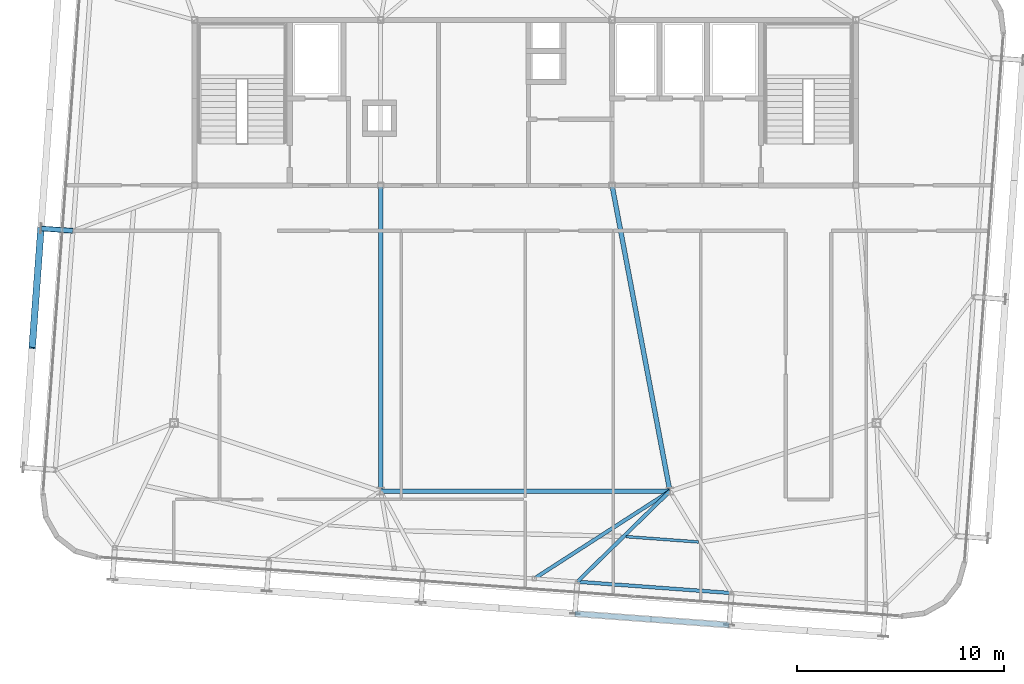
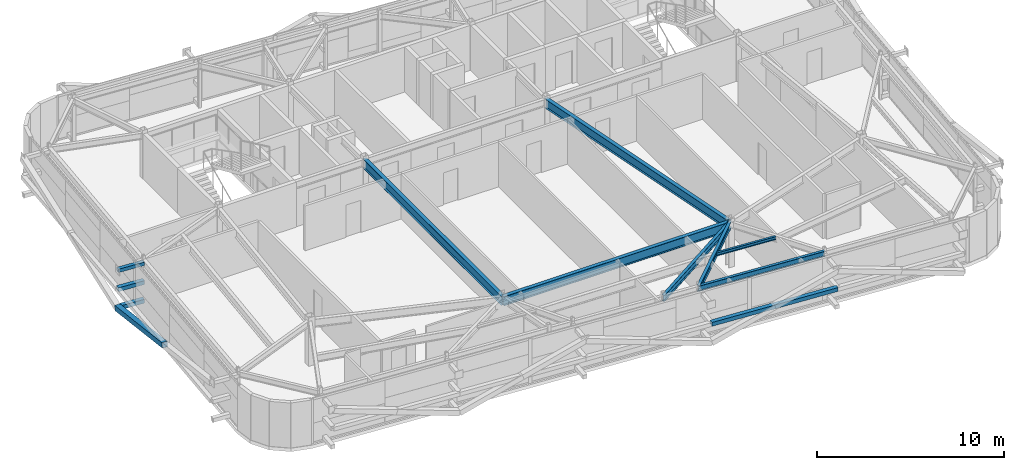
# One storey, part 12 of 34: 7 beams, 5 members.
"""IFC4 building model written with IfcOpenShell, lengths in metres."""

from ifc_helpers import new_model, si_unit, direction, frame, origin, origin_2d, place, context, subcontext, project, spatial, hollow_rectangle, i_section, extrude, source, transform, mapped, material, material_profile, profile_set, type_object, element, save


model = new_model("IFC4")

# Units and contexts
model_context = context("Model", 3, precision=1e-05, world=origin(), true_north=direction((0.0, 1.0)))
body_context = subcontext(model_context, "Body", "Model", "MODEL_VIEW")
ifc_project = project(units=[si_unit("LENGTHUNIT", "METRE"), si_unit("AREAUNIT", "SQUARE_METRE"), si_unit("VOLUMEUNIT", "CUBIC_METRE"), si_unit("PLANEANGLEUNIT", "RADIAN"), si_unit("MASSUNIT", "GRAM", prefix="KILO")], contexts=[model_context])

# Site, building, storey
site_placement = place(None, origin())
site = spatial("IfcSite", under=ifc_project, at=site_placement, CompositionType="ELEMENT")
building_placement = place(site_placement, origin())
building = spatial("IfcBuilding", under=site, at=building_placement, Name="Taldren Reach Tower", CompositionType="ELEMENT")
storey_placement = place(building_placement, frame((0.0, 0.0, 239.75)))
storey = spatial("IfcBuildingStorey", under=building, at=storey_placement, Name="L73", CompositionType="ELEMENT", Elevation=239.75)

# Beams
ifc_material_1 = material(Name="Steel Gr 350 (350PLUS)", Category="steel")
ifc_material_profile_1 = material_profile(ifc_material_1, i_section(OverallWidth=0.22802734375, OverallDepth=0.60205078125, WebThickness=0.010498046875, FlangeThickness=0.014892578125, at=origin_2d()), Name="610UB101")
ifc_profile_set_1 = profile_set([ifc_material_profile_1], Name="Steel Gr 350 (350PLUS)")
beam_type_1 = type_object("IfcBeamType", Name="BM-UB610B", PredefinedType="BEAM", material=ifc_profile_set_1)
shared_shape_1 = source(origin(), body_context, "Body", "SweptSolid", [
    extrude(i_section(OverallWidth=0.22802734375, OverallDepth=0.60205078125, WebThickness=0.010498046875, FlangeThickness=0.014892578125, at=origin_2d()), origin(), (0.0, 0.0, 1.0), 14.0),
])
beam_1_placement = place(storey_placement, frame((28.0, 9.199951171875, 2.62890625), z_axis=(1.0, 0.0, 0.0), x_axis=(0.0, 1.0, 0.0)))
element("IfcBeam", 1, at=beam_1_placement, inside=storey, type_object=beam_type_1, Name="Core-spine girder L73-SP11", PredefinedType="BEAM", context=body_context, shape_type="MappedRepresentation", body=[
    mapped(shared_shape_1, transform((0.0, 0.0, 0.0), scale=1.0)),
])
shared_shape_2 = source(origin(), body_context, "Body", "SweptSolid", [
    extrude(i_section(OverallWidth=0.22802734375, OverallDepth=0.60205078125, WebThickness=0.010498046875, FlangeThickness=0.014892578125, at=origin_2d()), origin(), (0.0, 0.0, 1.0), 14.800048828125),
])
beam_2_placement = place(storey_placement, frame((28.0, 24.0, 2.62890625), z_axis=(0.0, -1.0, 0.0), x_axis=(1.0, 0.0, 0.0)))
element("IfcBeam", 2, at=beam_2_placement, inside=storey, type_object=beam_type_1, Name="Core-spine girder L73-SP14", PredefinedType="BEAM", context=body_context, shape_type="MappedRepresentation", body=[
    mapped(shared_shape_2, transform((0.0, 0.0, 0.0), scale=1.0)),
])
shared_shape_3 = source(origin(), body_context, "Body", "SweptSolid", [
    extrude(i_section(OverallWidth=0.22802734375, OverallDepth=0.60205078125, WebThickness=0.010498046875, FlangeThickness=0.014892578125, at=origin_2d()), origin(), (0.0, 0.0, 1.0), 15.0625),
])
beam_3_placement = place(storey_placement, frame((39.199951171875, 24.0, 2.62890625), z_axis=(0.185894205668, -0.982569765614, 0.0), x_axis=(0.982569765614, 0.185894205668, 0.0)))
element("IfcBeam", 3, at=beam_3_placement, inside=storey, type_object=beam_type_1, Name="Core-spine girder L73-SP15", PredefinedType="BEAM", context=body_context, shape_type="MappedRepresentation", body=[
    mapped(shared_shape_3, transform((0.0, 0.0, 0.0), scale=1.0)),
])
ifc_material_profile_2 = material_profile(ifc_material_1, i_section(OverallWidth=0.172119140625, OverallDepth=0.35888671875, WebThickness=0.008056640625, FlangeThickness=0.012939453125, at=origin_2d()), Name="360UB56.7")
ifc_profile_set_2 = profile_set([ifc_material_profile_2], Name="Steel Gr 350 (350PLUS)")
beam_type_2 = type_object("IfcBeamType", Name="SP-UB360", PredefinedType="SPANDREL", material=ifc_profile_set_2)
shared_shape_4 = source(origin(), body_context, "Body", "SweptSolid", [
    extrude(i_section(OverallWidth=0.172119140625, OverallDepth=0.35888671875, WebThickness=0.008056640625, FlangeThickness=0.012939453125, at=origin_2d()), origin(), (0.0, 0.0, 1.0), 7.479736328125),
])
beam_4_placement = place(storey_placement, frame((37.5205078125, 4.81689453125, 2.75048828125), z_axis=(0.997314045547, -0.073244075215, 0.0), x_axis=(0.073244075215, 0.997314045547, 0.0)))
element("IfcBeam", 4, at=beam_4_placement, inside=storey, type_object=beam_type_2, Name="Perimeter spandrel B5 S4-S5 L73", PredefinedType="SPANDREL", context=body_context, shape_type="MappedRepresentation", body=[
    mapped(shared_shape_4, transform((0.0, 0.0, 0.0), scale=1.0)),
])
ifc_material_profile_3 = material_profile(ifc_material_1, i_section(OverallWidth=0.177978515625, OverallDepth=0.406005859375, WebThickness=0.0078125, FlangeThickness=0.0126953125, at=origin_2d()), Name="410UB59.7")
ifc_profile_set_3 = profile_set([ifc_material_profile_3], Name="Steel Gr 350 (350PLUS)")
beam_type_3 = type_object("IfcBeamType", Name="BM-UB410", PredefinedType="BEAM", material=ifc_profile_set_3)
shared_shape_5 = source(origin(), body_context, "Body", "SweptSolid", [
    extrude(i_section(OverallWidth=0.177978515625, OverallDepth=0.406005859375, WebThickness=0.0078125, FlangeThickness=0.0126953125, at=origin_2d()), origin(), (0.0, 0.0, 1.0), 7.80908203125),
])
beam_5_placement = place(storey_placement, frame((42.0, 9.199951171875, 2.72705078125), z_axis=(-0.840564391699, -0.541711642304, 0.0), x_axis=(0.541711642304, -0.840564391699, 0.0)))
element("IfcBeam", 5, at=beam_5_placement, inside=storey, type_object=beam_type_3, Name="Primary floor girder B5-PJ2 L73", PredefinedType="BEAM", context=body_context, shape_type="MappedRepresentation", body=[
    mapped(shared_shape_5, transform((0.0, 0.0, 0.0), scale=1.0)),
])
shared_shape_6 = source(origin(), body_context, "Body", "SweptSolid", [
    extrude(i_section(OverallWidth=0.177978515625, OverallDepth=0.406005859375, WebThickness=0.0078125, FlangeThickness=0.0126953125, at=origin_2d()), origin(), (0.0, 0.0, 1.0), 6.26708984375),
])
beam_6_placement = place(storey_placement, frame((42.0, 9.199951171875, 2.72705078125), z_axis=(-0.71475866888, -0.699371178461, 0.0), x_axis=(0.699371178461, -0.71475866888, 0.0)))
element("IfcBeam", 6, at=beam_6_placement, inside=storey, type_object=beam_type_3, Name="Primary floor girder B5-S4 L73", PredefinedType="BEAM", context=body_context, shape_type="MappedRepresentation", body=[
    mapped(shared_shape_6, transform((0.0, 0.0, 0.0), scale=1.0)),
])
ifc_material_2 = material(Name="Steel Gr 300 (300PLUS, 300 MPa)", Category="steel")
ifc_material_profile_4 = material_profile(ifc_material_2, i_section(OverallWidth=0.134033203125, OverallDepth=0.20703125, WebThickness=0.00634765625, FlangeThickness=0.009521484375, at=origin_2d()), Name="200UB29.8")
ifc_profile_set_4 = profile_set([ifc_material_profile_4], Name="Steel Gr 300 (300PLUS, 300 MPa)")
beam_type_4 = type_object("IfcBeamType", Name="JS-UB200", PredefinedType="JOIST", material=ifc_profile_set_4)
shared_shape_7 = source(origin(), body_context, "Body", "SweptSolid", [
    extrude(i_section(OverallWidth=0.134033203125, OverallDepth=0.20703125, WebThickness=0.00634765625, FlangeThickness=0.009521484375, at=origin_2d()), origin(), (0.0, 0.0, 1.0), 3.51220703125),
])
beam_7_placement = place(storey_placement, frame((39.878662109375, 6.999755859375, 2.826416015625), z_axis=(0.997312333235, -0.073267386856, 0.0), x_axis=(0.073267386856, 0.997312333235, 0.0)))
element("IfcBeam", 7, at=beam_7_placement, inside=storey, type_object=beam_type_4, Name="Secondary floor joist B5 J4 L73", PredefinedType="JOIST", context=body_context, shape_type="MappedRepresentation", body=[
    mapped(shared_shape_7, transform((0.0, 0.0, 0.0), scale=1.0)),
])

# Members
ifc_material_3 = material(Name="Steel Gr 450 (C450L0)", Category="steel")
ifc_material_profile_5 = material_profile(ifc_material_3, hollow_rectangle(XDim=0.219970703125, YDim=0.219970703125, WallThickness=0.00830078125, at=origin_2d()), Name="220x220x8.2SHS")
ifc_profile_set_5 = profile_set([ifc_material_profile_5], Name="Steel Gr 450 (C450L0)")
member_type_1 = type_object("IfcMemberType", Name="MB-TIE219", PredefinedType="STRUT", material=ifc_profile_set_5)
shared_shape_8 = source(origin(), body_context, "Body", "SweptSolid", [
    extrude(hollow_rectangle(XDim=0.219970703125, YDim=0.219970703125, WallThickness=0.00830078125, at=origin_2d()), origin(), (0.0, 0.0, 1.0), 1.546142578125),
])
member_1_placement = place(storey_placement, frame((13.104736328125, 21.800537109375, 2.64990234375), z_axis=(-0.997312378271, 0.073266773831, 0.0), x_axis=(-0.073266773831, -0.997312378271, 0.0)))
element("IfcMember", 8, at=member_1_placement, inside=storey, type_object=member_type_1, Name="Exoskeleton diaphragm tie strut B5-W2 L73", PredefinedType="STRUT", context=body_context, shape_type="MappedRepresentation", body=[
    mapped(shared_shape_8, transform((0.0, 0.0, 0.0), scale=1.0)),
])
ifc_material_4 = material(Name="Steel Gr 350 (C350L0)", Category="steel")
ifc_material_profile_6 = material_profile(ifc_material_4, hollow_rectangle(XDim=0.25, YDim=0.25, WallThickness=0.010009765625, at=origin_2d()), Name="250x250x10.0SHS")
ifc_profile_set_6 = profile_set([ifc_material_profile_6], Name="Steel Gr 350 (C350L0)")
member_type_2 = type_object("IfcMemberType", Name="MB-POST250", PredefinedType="POST", material=ifc_profile_set_6)
shared_shape_9 = source(origin(), body_context, "Body", "SweptSolid", [
    extrude(hollow_rectangle(XDim=0.25, YDim=0.25, WallThickness=0.010009765625, at=origin_2d()), origin(), (0.0, 0.0, 1.0), 7.479736328125),
])
member_2_placement = place(storey_placement, frame((37.406982421875, 3.27099609375, 1.43505859375), z_axis=(0.997314045547, -0.073244075215, 0.0), x_axis=(0.073244075215, 0.997314045547, 0.0)))
element("IfcMember", 9, at=member_2_placement, inside=storey, type_object=member_type_2, Name="Exoskeleton mid-height ring chord B5-S4 L73", PredefinedType="POST", context=body_context, shape_type="MappedRepresentation", body=[
    mapped(shared_shape_9, transform((0.0, 0.0, 0.0), scale=1.0)),
])
ifc_material_profile_7 = material_profile(ifc_material_3, hollow_rectangle(XDim=0.324951171875, YDim=0.324951171875, WallThickness=0.0126953125, at=origin_2d()), Name="325x325x12.7SHS")
ifc_profile_set_7 = profile_set([ifc_material_profile_7], Name="Steel Gr 450 (C450L0)")
member_type_3 = type_object("IfcMemberType", Name="MB-BR324", PredefinedType="BRACE", material=ifc_profile_set_7)
shared_shape_10 = source(origin(), body_context, "Body", "SweptSolid", [
    extrude(hollow_rectangle(XDim=0.324951171875, YDim=0.324951171875, WallThickness=0.0126953125, at=origin_2d()), origin(), (0.0, 0.0, 1.0), 5.926025390625),
])
member_3_placement = place(storey_placement, frame((11.562744140625, 21.913818359375, 0.219970703125), z_axis=(-0.071685935393, -0.976123486939, 0.205046494513), x_axis=(0.997314185625, -0.073242167855, 0.0)))
element("IfcMember", 10, at=member_3_placement, inside=storey, type_object=member_type_3, Name="Exoskeleton Diagrid Brace B5-W1 L73", PredefinedType="BRACE", context=body_context, shape_type="MappedRepresentation", body=[
    mapped(shared_shape_10, transform((0.0, 0.0, 0.0), scale=1.0)),
])
shared_shape_11 = source(origin(), body_context, "Body", "SweptSolid", [
    extrude(hollow_rectangle(XDim=0.25, YDim=0.25, WallThickness=0.010009765625, at=origin_2d()), origin(), (0.0, 0.0, 1.0), 1.546142578125),
])
for number, where, z_axis, x_axis, name in (
    (11, (13.104736328125, 21.800537109375, 0.219970703125), (-0.997312378271, 0.073266773831, 0.0), (-0.073266773831, -0.997312378271, 0.0), "Exoskeleton base diaphragm tie strut B5-W2 L73"),
    (12, (13.104736328125, 21.800537109375, 1.43505859375), (-0.997312378271, 0.073266773831, 0.0), (-0.073266773831, -0.997312378271, 0.0), "Exoskeleton mid-tier diaphragm tie B5-W2 L73"),
):
    element("IfcMember", number, at=place(storey_placement, frame(where, z_axis=z_axis, x_axis=x_axis)), inside=storey, type_object=member_type_2, Name=name, PredefinedType="POST", context=body_context, shape_type="MappedRepresentation", body=[
        mapped(shared_shape_11, transform((0.0, 0.0, 0.0), scale=1.0)),
    ])

save(model, "model.ifc")
